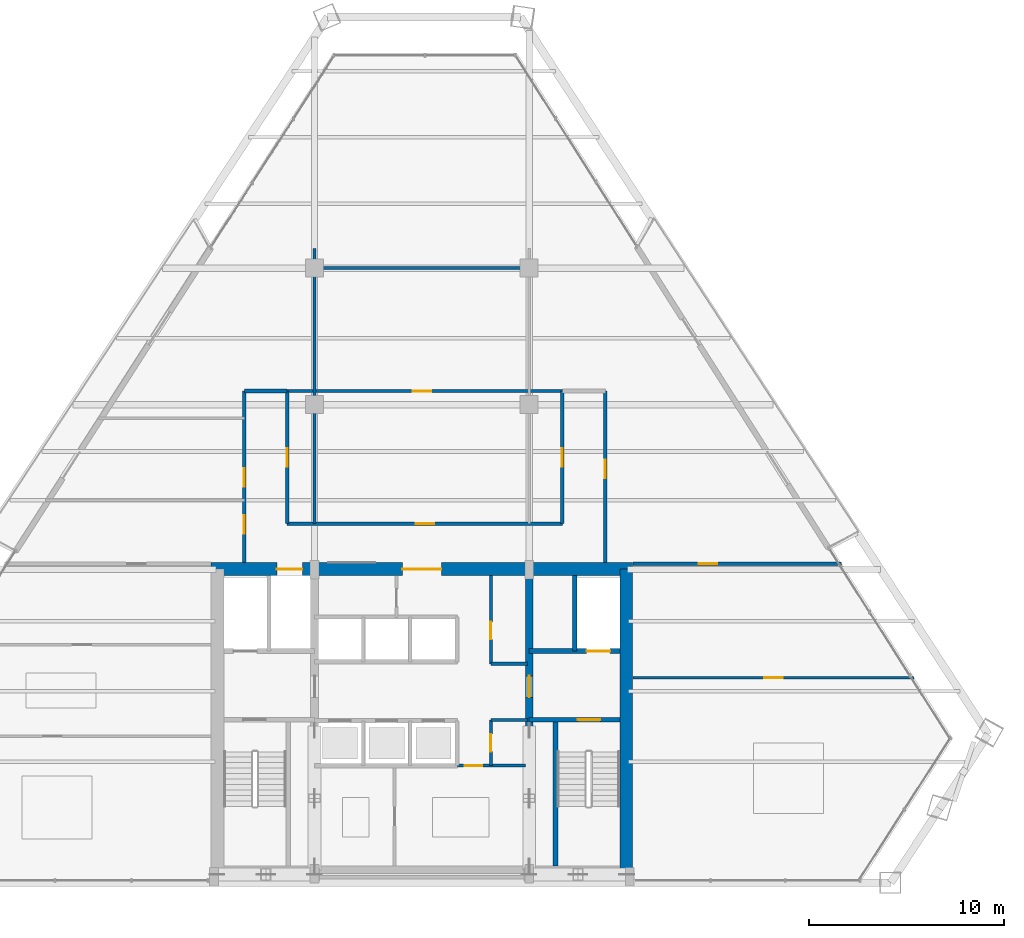
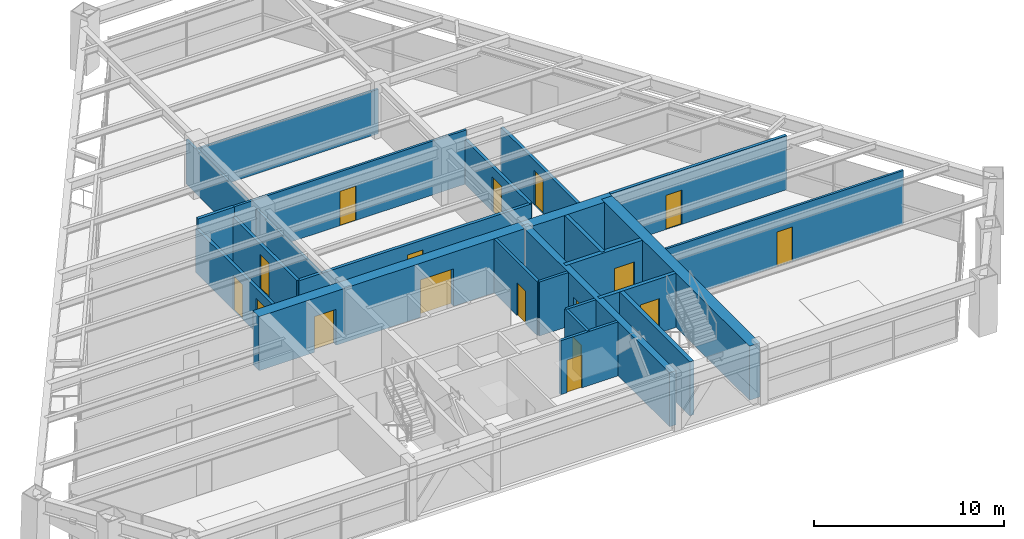
# One storey, part 12 of 16: 23 walls, 17 doors, 17 openings.
"""IFC4 building model written with IfcOpenShell, lengths in metres."""

from ifc_helpers import new_model, si_unit, direction, frame, frame_2d, origin, place, context, subcontext, project, spatial, rectangle, extrude, source, transform, mapped, material, layer, layer_set, type_object, type_shapes, element, fill, save


model = new_model("IFC4")

# Units and contexts
model_context = context("Model", 3, precision=1e-05, world=origin(), true_north=direction((0.0, 1.0)))
body_context = subcontext(model_context, "Body", "Model", "MODEL_VIEW")
ifc_project = project(units=[si_unit("LENGTHUNIT", "METRE"), si_unit("AREAUNIT", "SQUARE_METRE"), si_unit("VOLUMEUNIT", "CUBIC_METRE"), si_unit("PLANEANGLEUNIT", "RADIAN"), si_unit("MASSUNIT", "GRAM", prefix="KILO")], contexts=[model_context])

# Site, building, storey
site_placement = place(None, origin())
site = spatial("IfcSite", under=ifc_project, at=site_placement, CompositionType="ELEMENT")
building_placement = place(site_placement, origin())
building = spatial("IfcBuilding", under=site, at=building_placement, Name="Varnakhor Terracotta Tower", CompositionType="ELEMENT")
storey_placement = place(building_placement, frame((0.0, 0.0, 151.5)))
storey = spatial("IfcBuildingStorey", under=building, at=storey_placement, Name="L38", CompositionType="ELEMENT", Elevation=151.5)

# Wall, openings, doors
ifc_material_1 = material(Name="Concrete C50/60", Category="concrete")
ifc_layer_1 = layer(ifc_material_1, 0.64990234375, Name="Concrete C50/60")
ifc_layer_set_1 = layer_set([ifc_layer_1], Name="Concrete C50/60")
wall_type_1 = type_object("IfcWallType", Name="WAL-CORE-650", PredefinedType="SHEAR", material=ifc_layer_set_1)
wall_1_placement = place(storey_placement, frame((-10.800048828125, 16.074951171875, 0.0), z_axis=(0.0, 0.0, 1.0), x_axis=(1.0, 0.0, 0.0)))
wall_1 = element("IfcWall", 1, at=wall_1_placement, inside=storey, type_object=wall_type_1, Name="L38 North Core Shear Wall", PredefinedType="SHEAR", context=body_context, shape_type="SweptSolid", body=[
    extrude(rectangle(XDim=21.60009765625, YDim=0.64990234375, at=frame_2d((10.800048828125, 0.0))), origin(), (0.0, 0.0, 1.0), 3.469970703125),
])
opening_1_placement = place(wall_1_placement, frame((3.3701171875, 0.0, 0.0)))
opening_1 = element("IfcOpeningElement", 2, at=opening_1_placement, cuts=wall_1, Name="Opening LD-03", PredefinedType="OPENING", context=body_context, shape_type="SweptSolid", body=[
    extrude(rectangle(XDim=1.300048828125, YDim=2.300048828125, at=frame_2d((0.64990234375, 1.14990234375))), frame((0.0, 0.3349609375, 0.0), z_axis=(0.0, -1.0, 0.0), x_axis=(1.0, 0.0, 0.0)), (0.0, 0.0, 1.0), 0.669921875),
])
opening_2_placement = place(wall_1_placement, frame((9.800048828125, 0.0, 0.0)))
opening_2 = element("IfcOpeningElement", 3, at=opening_2_placement, cuts=wall_1, Name="Opening DR-32", PredefinedType="OPENING", context=body_context, shape_type="SweptSolid", body=[
    extrude(rectangle(XDim=2.0, YDim=2.39990234375, at=frame_2d((1.0, 1.199951171875))), frame((0.0, 0.3349609375, 0.0), z_axis=(0.0, -1.0, 0.0), x_axis=(1.0, 0.0, 0.0)), (0.0, 0.0, 1.0), 0.669921875),
])
ifc_material_2 = material(Name="Heavy-Duty Goods Sliding Lift Landing Door", Category="steel")
door_type_1 = type_object("IfcDoorType", Name="LD-SRV-1300X2300", OperationType="NOTDEFINED", PredefinedType="DOOR", material=ifc_material_2)
shared_shape_1 = source(origin(), body_context, "Body", "SweptSolid", [
    extrude(rectangle(XDim=1.300048828125, YDim=2.300048828125, at=frame_2d((0.64990234375, 1.14990234375))), frame((0.0, 0.02490234375, 0.0), z_axis=(0.0, -1.0, 0.0), x_axis=(1.0, 0.0, 0.0)), (0.0, 0.0, 1.0), 0.050048828125),
])
type_shapes(door_type_1, [shared_shape_1])
door_1_placement = place(opening_1_placement, origin())
door_1 = element("IfcDoor", 4, at=door_1_placement, inside=storey, type_object=door_type_1, Name="L38 Service Lift SVL-1 Landing Door", OperationType="SLIDING_TO_RIGHT", OverallHeight=2.300048828125, OverallWidth=1.300048828125, PredefinedType="DOOR", context=body_context, shape_type="MappedRepresentation", body=[
    mapped(shared_shape_1, transform((0.0, 0.0, 0.0), scale=1.0)),
])
fill(opening_1, door_1)
ifc_material_3 = material(Name="Acoustic Double Assembly Fire Door", Category="wood")
door_type_2 = type_object("IfcDoorType", Name="DR-HALL-2000X2400", OperationType="NOTDEFINED", PredefinedType="DOOR", material=ifc_material_3)
shared_shape_2 = source(origin(), body_context, "Body", "SweptSolid", [
    extrude(rectangle(XDim=2.0, YDim=2.39990234375, at=frame_2d((1.0, 1.199951171875))), frame((0.0, 0.02490234375, 0.0), z_axis=(0.0, -1.0, 0.0), x_axis=(1.0, 0.0, 0.0)), (0.0, 0.0, 1.0), 0.050048828125),
])
type_shapes(door_type_2, [shared_shape_2])
door_2_placement = place(opening_2_placement, origin())
door_2 = element("IfcDoor", 5, at=door_2_placement, inside=storey, type_object=door_type_2, Name="L38 Core Main Lobby Double Door", OperationType="DOUBLE_DOOR_SINGLE_SWING", OverallHeight=2.39990234375, OverallWidth=2.0, PredefinedType="DOOR", context=body_context, shape_type="MappedRepresentation", body=[
    mapped(shared_shape_2, transform((0.0, 0.0, 0.0), scale=1.0)),
])
fill(opening_2, door_2)

# Wall
wall_2_placement = place(storey_placement, frame((10.47509765625, 0.52490234375, 0.0), z_axis=(0.0, 0.0, 1.0), x_axis=(0.0, 1.0, 0.0)))
element("IfcWall", 6, at=wall_2_placement, inside=storey, type_object=wall_type_1, Name="L38 East Core Shear Wall", PredefinedType="SHEAR", context=body_context, shape_type="SweptSolid", body=[
    extrude(rectangle(XDim=15.550048828125, YDim=0.64990234375, at=frame_2d((7.77490234375, 0.0))), origin(), (0.0, 0.0, 1.0), 3.469970703125),
])

# Wall, opening, door
ifc_layer_2 = layer(ifc_material_1, 0.39990234375, Name="Concrete C50/60")
ifc_layer_set_2 = layer_set([ifc_layer_2], Name="Concrete C50/60")
wall_type_2 = type_object("IfcWallType", Name="WAL-CORE-WEB-400", PredefinedType="SHEAR", material=ifc_layer_set_2)
wall_3_placement = place(storey_placement, frame((5.5, 0.52490234375, 0.0), z_axis=(0.0, 0.0, 1.0), x_axis=(0.0, 1.0, 0.0)))
wall_3 = element("IfcWall", 7, at=wall_3_placement, inside=storey, type_object=wall_type_2, Name="L38 East Core Web Shear Wall", PredefinedType="SHEAR", context=body_context, shape_type="SweptSolid", body=[
    extrude(rectangle(XDim=15.550048828125, YDim=0.39990234375, at=frame_2d((7.77490234375, 0.0))), origin(), (0.0, 0.0, 1.0), 3.469970703125),
])
opening_3_placement = place(wall_3_placement, frame((8.97509765625, 0.0, 0.0)))
opening_3 = element("IfcOpeningElement", 8, at=opening_3_placement, cuts=wall_3, Name="Opening DR-25", PredefinedType="OPENING", context=body_context, shape_type="SweptSolid", body=[
    extrude(rectangle(XDim=1.10009765625, YDim=2.199951171875, at=frame_2d((0.550048828125, 1.10009765625))), frame((0.0, 0.2099609375, 0.0), z_axis=(0.0, -1.0, 0.0), x_axis=(1.0, 0.0, 0.0)), (0.0, 0.0, 1.0), 0.419921875),
])
ifc_material_4 = material(Name="Firefighting Lobby Self-Closing Fire Door", Category="steel")
door_type_3 = type_object("IfcDoorType", Name="DR-FFL-1100X2200", OperationType="NOTDEFINED", PredefinedType="DOOR", material=ifc_material_4)
shared_shape_3 = source(origin(), body_context, "Body", "SweptSolid", [
    extrude(rectangle(XDim=1.10009765625, YDim=2.199951171875, at=frame_2d((0.550048828125, 1.10009765625))), frame((0.0, 0.02490234375, 0.0), z_axis=(0.0, -1.0, 0.0), x_axis=(1.0, 0.0, 0.0)), (0.0, 0.0, 1.0), 0.050048828125),
])
type_shapes(door_type_3, [shared_shape_3])
door_3_placement = place(opening_3_placement, origin())
door_3 = element("IfcDoor", 9, at=door_3_placement, inside=storey, type_object=door_type_3, Name="L38 East Firefighting Lobby Door", OperationType="SINGLE_SWING_RIGHT", OverallHeight=2.199951171875, OverallWidth=1.10009765625, PredefinedType="DOOR", context=body_context, shape_type="MappedRepresentation", body=[
    mapped(shared_shape_3, transform((0.0, 0.0, 0.0), scale=1.0)),
])
fill(opening_3, door_3)

ifc_material_5 = material(Name="Fire-Rated Gypsum Stud Partition", Category="gypsum")
ifc_layer_3 = layer(ifc_material_5, 0.18505859375, Name="Fire-Rated Gypsum Stud Partition")
ifc_layer_set_3 = layer_set([ifc_layer_3], Name="Fire-Rated Gypsum Stud Partition")
wall_type_3 = type_object("IfcWallType", Name="WAL-CORR-185", PredefinedType="PARTITIONING", material=ifc_layer_set_3)
wall_4_placement = place(storey_placement, frame((-6.89990234375, 18.39990234375, 0.0), z_axis=(0.0, 0.0, 1.0), x_axis=(1.0, 0.0, 0.0)))
wall_4 = element("IfcWall", 10, at=wall_4_placement, inside=storey, type_object=wall_type_3, Name="L38 Central Gallery Link Wall", PredefinedType="PARTITIONING", context=body_context, shape_type="SweptSolid", body=[
    extrude(rectangle(XDim=14.099853515625, YDim=0.18505859375, at=frame_2d((7.0498046875, 0.0))), origin(), (0.0, 0.0, 1.0), 2.845947265625),
])
opening_4_placement = place(wall_4_placement, frame((6.574951171875, 0.0, 0.0)))
opening_4 = element("IfcOpeningElement", 11, at=opening_4_placement, cuts=wall_4, Name="Opening DR-94", PredefinedType="OPENING", context=body_context, shape_type="SweptSolid", body=[
    extrude(rectangle(XDim=0.949951171875, YDim=2.199951171875, at=frame_2d((0.47509765625, 1.10009765625))), frame((0.0, 0.1025390625, 0.0), z_axis=(0.0, -1.0, 0.0), x_axis=(1.0, 0.0, 0.0)), (0.0, 0.0, 1.0), 0.205078125),
])
ifc_material_6 = material(Name="Acoustic Glazed-Vision Timber Office Door", Category="wood")
door_type_4 = type_object("IfcDoorType", Name="DR-OFF-950X2200", OperationType="NOTDEFINED", PredefinedType="DOOR", material=ifc_material_6)
shared_shape_4 = source(origin(), body_context, "Body", "SweptSolid", [
    extrude(rectangle(XDim=0.949951171875, YDim=2.199951171875, at=frame_2d((0.47509765625, 1.10009765625))), frame((0.0, 0.02490234375, 0.0), z_axis=(0.0, -1.0, 0.0), x_axis=(1.0, 0.0, 0.0)), (0.0, 0.0, 1.0), 0.050048828125),
])
type_shapes(door_type_4, [shared_shape_4])
door_4_placement = place(opening_4_placement, origin())
door_4 = element("IfcDoor", 12, at=door_4_placement, inside=storey, type_object=door_type_4, Name="L38 Center Suite Door", OperationType="SINGLE_SWING_RIGHT", OverallHeight=2.199951171875, OverallWidth=0.949951171875, PredefinedType="DOOR", context=body_context, shape_type="MappedRepresentation", body=[
    mapped(shared_shape_4, transform((0.0, 0.0, 0.0), scale=1.0)),
])
fill(opening_4, door_4)

wall_5_placement = place(storey_placement, frame((-6.89990234375, 18.39990234375, 0.0), z_axis=(0.0, 0.0, 1.0), x_axis=(0.0, 1.0, 0.0)))
wall_5 = element("IfcWall", 13, at=wall_5_placement, inside=storey, type_object=wall_type_3, Name="L38 West Gallery Inner Wall", PredefinedType="PARTITIONING", context=body_context, shape_type="SweptSolid", body=[
    extrude(rectangle(XDim=6.800048828125, YDim=0.18505859375, at=frame_2d((3.39990234375, 0.0))), origin(), (0.0, 0.0, 1.0), 2.845947265625),
])
opening_5_placement = place(wall_5_placement, frame((2.925048828125, 0.0, 0.0)))
opening_5 = element("IfcOpeningElement", 14, at=opening_5_placement, cuts=wall_5, Name="Opening DR-94", PredefinedType="OPENING", context=body_context, shape_type="SweptSolid", body=[
    extrude(rectangle(XDim=0.949951171875, YDim=2.199951171875, at=frame_2d((0.47509765625, 1.10009765625))), frame((0.0, 0.1025390625, 0.0), z_axis=(0.0, -1.0, 0.0), x_axis=(1.0, 0.0, 0.0)), (0.0, 0.0, 1.0), 0.205078125),
])
door_5_placement = place(opening_5_placement, origin())
door_5 = element("IfcDoor", 15, at=door_5_placement, inside=storey, type_object=door_type_4, Name="L38 Wellness Lounge 4 B9 Door", OperationType="SINGLE_SWING_LEFT", OverallHeight=2.199951171875, OverallWidth=0.949951171875, PredefinedType="DOOR", context=body_context, shape_type="MappedRepresentation", body=[
    mapped(shared_shape_4, transform((0.0, 0.0, 0.0), scale=1.0)),
])
fill(opening_5, door_5)

wall_6_placement = place(storey_placement, frame((7.199951171875, 18.39990234375, 0.0), z_axis=(0.0, 0.0, 1.0), x_axis=(0.0, 1.0, 0.0)))
wall_6 = element("IfcWall", 16, at=wall_6_placement, inside=storey, type_object=wall_type_3, Name="L38 East Gallery Inner Wall", PredefinedType="PARTITIONING", context=body_context, shape_type="SweptSolid", body=[
    extrude(rectangle(XDim=6.800048828125, YDim=0.18505859375, at=frame_2d((3.39990234375, 0.0))), origin(), (0.0, 0.0, 1.0), 2.845947265625),
])
opening_6_placement = place(wall_6_placement, frame((2.925048828125, 0.0, 0.0)))
opening_6 = element("IfcOpeningElement", 17, at=opening_6_placement, cuts=wall_6, Name="Opening DR-94", PredefinedType="OPENING", context=body_context, shape_type="SweptSolid", body=[
    extrude(rectangle(XDim=0.949951171875, YDim=2.199951171875, at=frame_2d((0.47509765625, 1.10009765625))), frame((0.0, 0.1025390625, 0.0), z_axis=(0.0, -1.0, 0.0), x_axis=(1.0, 0.0, 0.0)), (0.0, 0.0, 1.0), 0.205078125),
])
door_6_placement = place(opening_6_placement, origin())
door_6 = element("IfcDoor", 18, at=door_6_placement, inside=storey, type_object=door_type_4, Name="L38 Staff Dining Kitchen 1 B10 Door", OperationType="SINGLE_SWING_RIGHT", OverallHeight=2.199951171875, OverallWidth=0.949951171875, PredefinedType="DOOR", context=body_context, shape_type="MappedRepresentation", body=[
    mapped(shared_shape_4, transform((0.0, 0.0, 0.0), scale=1.0)),
])
fill(opening_6, door_6)

# Wall, openings, doors
wall_7_placement = place(storey_placement, frame((-9.10009765625, 16.39990234375, 0.0), z_axis=(0.0, 0.0, 1.0), x_axis=(0.0, 1.0, 0.0)))
wall_7 = element("IfcWall", 19, at=wall_7_placement, inside=storey, type_object=wall_type_3, Name="L38 West Gallery Outer Wall", PredefinedType="PARTITIONING", context=body_context, shape_type="SweptSolid", body=[
    extrude(rectangle(XDim=8.800048828125, YDim=0.18505859375, at=frame_2d((4.39990234375, 0.0))), origin(), (0.0, 0.0, 1.0), 2.845947265625),
])
opening_7_placement = place(wall_7_placement, frame((3.902587890625, 0.0, 0.0)))
opening_7 = element("IfcOpeningElement", 20, at=opening_7_placement, cuts=wall_7, Name="Opening DR-94", PredefinedType="OPENING", context=body_context, shape_type="SweptSolid", body=[
    extrude(rectangle(XDim=0.949951171875, YDim=2.199951171875, at=frame_2d((0.47509765625, 1.10009765625))), frame((0.0, 0.1025390625, 0.0), z_axis=(0.0, -1.0, 0.0), x_axis=(1.0, 0.0, 0.0)), (0.0, 0.0, 1.0), 0.205078125),
])
opening_8_placement = place(wall_7_placement, frame((1.4873046875, 0.0, 0.0)))
opening_8 = element("IfcOpeningElement", 21, at=opening_8_placement, cuts=wall_7, Name="Opening DR-94", PredefinedType="OPENING", context=body_context, shape_type="SweptSolid", body=[
    extrude(rectangle(XDim=0.949951171875, YDim=2.199951171875, at=frame_2d((0.47509765625, 1.10009765625))), frame((0.0, 0.1025390625, 0.0), z_axis=(0.0, -1.0, 0.0), x_axis=(1.0, 0.0, 0.0)), (0.0, 0.0, 1.0), 0.205078125),
])
door_7_placement = place(opening_7_placement, origin())
door_7 = element("IfcDoor", 22, at=door_7_placement, inside=storey, type_object=door_type_4, Name="L38 West Wing Door", OperationType="SINGLE_SWING_LEFT", OverallHeight=2.199951171875, OverallWidth=0.949951171875, PredefinedType="DOOR", context=body_context, shape_type="MappedRepresentation", body=[
    mapped(shared_shape_4, transform((0.0, 0.0, 0.0), scale=1.0)),
])
fill(opening_7, door_7)
door_8_placement = place(opening_8_placement, origin())
door_8 = element("IfcDoor", 23, at=door_8_placement, inside=storey, type_object=door_type_4, Name="L38 Staff Dining Kitchen 1 Door", OperationType="SINGLE_SWING_RIGHT", OverallHeight=2.199951171875, OverallWidth=0.949951171875, PredefinedType="DOOR", context=body_context, shape_type="MappedRepresentation", body=[
    mapped(shared_shape_4, transform((0.0, 0.0, 0.0), scale=1.0)),
])
fill(opening_8, door_8)

# Wall, opening, door
wall_8_placement = place(storey_placement, frame((9.39990234375, 16.39990234375, 0.0), z_axis=(0.0, 0.0, 1.0), x_axis=(0.0, 1.0, 0.0)))
wall_8 = element("IfcWall", 24, at=wall_8_placement, inside=storey, type_object=wall_type_3, Name="L38 East Gallery Outer Wall", PredefinedType="PARTITIONING", context=body_context, shape_type="SweptSolid", body=[
    extrude(rectangle(XDim=8.800048828125, YDim=0.18505859375, at=frame_2d((4.39990234375, 0.0))), origin(), (0.0, 0.0, 1.0), 2.845947265625),
])
opening_9_placement = place(wall_8_placement, frame((4.3310546875, 0.0, 0.0)))
opening_9 = element("IfcOpeningElement", 25, at=opening_9_placement, cuts=wall_8, Name="Opening DR-94", PredefinedType="OPENING", context=body_context, shape_type="SweptSolid", body=[
    extrude(rectangle(XDim=0.949951171875, YDim=2.199951171875, at=frame_2d((0.47509765625, 1.10009765625))), frame((0.0, 0.1025390625, 0.0), z_axis=(0.0, -1.0, 0.0), x_axis=(1.0, 0.0, 0.0)), (0.0, 0.0, 1.0), 0.205078125),
])
door_9_placement = place(opening_9_placement, origin())
door_9 = element("IfcDoor", 26, at=door_9_placement, inside=storey, type_object=door_type_4, Name="L38 East Wing Door", OperationType="SINGLE_SWING_RIGHT", OverallHeight=2.199951171875, OverallWidth=0.949951171875, PredefinedType="DOOR", context=body_context, shape_type="MappedRepresentation", body=[
    mapped(shared_shape_4, transform((0.0, 0.0, 0.0), scale=1.0)),
])
fill(opening_9, door_9)

# Wall
wall_9_placement = place(storey_placement, frame((-9.10009765625, 25.199951171875, 0.0), z_axis=(0.0, 0.0, 1.0), x_axis=(1.0, 0.0, 0.0)))
element("IfcWall", 27, at=wall_9_placement, inside=storey, type_object=wall_type_3, Name="L38 West Gallery North End", PredefinedType="PARTITIONING", context=body_context, shape_type="SweptSolid", body=[
    extrude(rectangle(XDim=2.2001953125, YDim=0.18505859375, at=frame_2d((1.10009765625, 0.0))), origin(), (0.0, 0.0, 1.0), 3.4619140625),
])

# Wall, opening, door
wall_10_placement = place(storey_placement, frame((10.820068359375, 16.35009765625, 0.0), z_axis=(0.0, 0.0, 1.0), x_axis=(1.0, 0.0, 0.0)))
wall_10 = element("IfcWall", 28, at=wall_10_placement, inside=storey, type_object=wall_type_3, Name="L38 South East Entry Wall", PredefinedType="PARTITIONING", context=body_context, shape_type="SweptSolid", body=[
    extrude(rectangle(XDim=10.68115234375, YDim=0.18505859375, at=frame_2d((5.340576171875, 0.0))), origin(), (0.0, 0.0, 1.0), 3.4619140625),
])
opening_10_placement = place(wall_10_placement, frame((3.365478515625, 0.0, 0.0)))
opening_10 = element("IfcOpeningElement", 29, at=opening_10_placement, cuts=wall_10, Name="Opening DR-94", PredefinedType="OPENING", context=body_context, shape_type="SweptSolid", body=[
    extrude(rectangle(XDim=0.949951171875, YDim=2.199951171875, at=frame_2d((0.47509765625, 1.10009765625))), frame((0.0, 0.1025390625, 0.0), z_axis=(0.0, -1.0, 0.0), x_axis=(1.0, 0.0, 0.0)), (0.0, 0.0, 1.0), 0.205078125),
])
door_10_placement = place(opening_10_placement, origin())
door_10 = element("IfcDoor", 30, at=door_10_placement, inside=storey, type_object=door_type_4, Name="L38 SE Suite Door", OperationType="SINGLE_SWING_RIGHT", OverallHeight=2.199951171875, OverallWidth=0.949951171875, PredefinedType="DOOR", context=body_context, shape_type="MappedRepresentation", body=[
    mapped(shared_shape_4, transform((0.0, 0.0, 0.0), scale=1.0)),
])
fill(opening_10, door_10)

ifc_material_7 = material(Name="Concrete C40/50", Category="concrete")
ifc_layer_4 = layer(ifc_material_7, 0.219970703125, Name="Concrete C40/50")
ifc_layer_set_4 = layer_set([ifc_layer_4], Name="Concrete C40/50")
wall_type_4 = type_object("IfcWallType", Name="WAL-FFLOBBY-220", PredefinedType="SOLIDWALL", material=ifc_layer_set_4)
wall_11_placement = place(storey_placement, frame((10.14990234375, 8.35009765625, 0.0), z_axis=(0.0, 0.0, 1.0), x_axis=(-1.0, 0.0, 0.0)))
wall_11 = element("IfcWall", 31, at=wall_11_placement, inside=storey, type_object=wall_type_4, Name="L38 East Firefighting Lobby Stair Wall", PredefinedType="SOLIDWALL", context=body_context, shape_type="SweptSolid", body=[
    extrude(rectangle(XDim=4.64990234375, YDim=0.219970703125, at=frame_2d((2.324951171875, 0.0))), origin(), (0.0, 0.0, 1.0), 3.469970703125),
])
opening_11_placement = place(wall_11_placement, frame((1.0, 0.0, 0.0)))
opening_11 = element("IfcOpeningElement", 32, at=opening_11_placement, cuts=wall_11, Name="Opening DR-34", PredefinedType="OPENING", context=body_context, shape_type="SweptSolid", body=[
    extrude(rectangle(XDim=1.14990234375, YDim=2.199951171875, at=frame_2d((0.574951171875, 1.10009765625))), frame((0.0, 0.1201171875, 0.0), z_axis=(0.0, -1.0, 0.0), x_axis=(1.0, 0.0, 0.0)), (0.0, 0.0, 1.0), 0.239990234375),
])
ifc_material_8 = material(Name="Self-Closing Smoke-Sealed Steel Fire Door", Category="steel")
door_type_5 = type_object("IfcDoorType", Name="DR-STAIR-1150X2200", OperationType="NOTDEFINED", PredefinedType="DOOR", material=ifc_material_8)
shared_shape_5 = source(origin(), body_context, "Body", "SweptSolid", [
    extrude(rectangle(XDim=1.14990234375, YDim=2.199951171875, at=frame_2d((0.574951171875, 1.10009765625))), frame((0.0, 0.02490234375, 0.0), z_axis=(0.0, -1.0, 0.0), x_axis=(1.0, 0.0, 0.0)), (0.0, 0.0, 1.0), 0.050048828125),
])
type_shapes(door_type_5, [shared_shape_5])
door_11_placement = place(opening_11_placement, origin())
door_11 = element("IfcDoor", 33, at=door_11_placement, inside=storey, type_object=door_type_5, Name="L38 Exit Stair ST-2 Fire Door", OperationType="SINGLE_SWING_LEFT", OverallHeight=2.199951171875, OverallWidth=1.14990234375, PredefinedType="DOOR", context=body_context, shape_type="MappedRepresentation", body=[
    mapped(shared_shape_5, transform((0.0, 0.0, 0.0), scale=1.0)),
])
fill(opening_11, door_11)

ifc_material_9 = material(Name="Acoustic Metal-Stud Partition", Category="gypsum")
ifc_layer_5 = layer(ifc_material_9, 0.139892578125, Name="Acoustic Metal-Stud Partition")
ifc_layer_set_5 = layer_set([ifc_layer_5], Name="Acoustic Metal-Stud Partition")
wall_type_5 = type_object("IfcWallType", Name="WAL-PART-140", PredefinedType="PARTITIONING", material=ifc_layer_set_5)
wall_12_placement = place(storey_placement, frame((-6.89990234375, 25.199951171875, 0.0), z_axis=(0.0, 0.0, 1.0), x_axis=(1.0, 0.0, 0.0)))
wall_12 = element("IfcWall", 34, at=wall_12_placement, inside=storey, type_object=wall_type_5, Name="L38 Gallery Center Cap Wall", PredefinedType="PARTITIONING", context=body_context, shape_type="SweptSolid", body=[
    extrude(rectangle(XDim=14.099853515625, YDim=0.139892578125, at=frame_2d((7.0498046875, 0.0))), origin(), (0.0, 0.0, 1.0), 3.4619140625),
])
opening_12_placement = place(wall_12_placement, frame((6.43212890625, 0.0, 0.0)))
opening_12 = element("IfcOpeningElement", 35, at=opening_12_placement, cuts=wall_12, Name="Opening DR-94", PredefinedType="OPENING", context=body_context, shape_type="SweptSolid", body=[
    extrude(rectangle(XDim=0.949951171875, YDim=2.199951171875, at=frame_2d((0.47509765625, 1.10009765625))), frame((0.0, 0.080078125, 0.0), z_axis=(0.0, -1.0, 0.0), x_axis=(1.0, 0.0, 0.0)), (0.0, 0.0, 1.0), 0.159912109375),
])
door_12_placement = place(opening_12_placement, origin())
door_12 = element("IfcDoor", 36, at=door_12_placement, inside=storey, type_object=door_type_4, Name="L38 Reading Lounge 3 Door", OperationType="SINGLE_SWING_LEFT", OverallHeight=2.199951171875, OverallWidth=0.949951171875, PredefinedType="DOOR", context=body_context, shape_type="MappedRepresentation", body=[
    mapped(shared_shape_4, transform((0.0, 0.0, 0.0), scale=1.0)),
])
fill(opening_12, door_12)

# Walls
wall_13_placement = place(storey_placement, frame((-5.5, 18.39990234375, 0.0), z_axis=(0.0, 0.0, 1.0), x_axis=(0.0, 1.0, 0.0)))
element("IfcWall", 37, at=wall_13_placement, inside=storey, type_object=wall_type_5, Name="L38 Center West Column Wall", PredefinedType="PARTITIONING", context=body_context, shape_type="SweptSolid", body=[
    extrude(rectangle(XDim=14.10009765625, YDim=0.139892578125, at=frame_2d((7.050048828125, 0.0))), origin(), (0.0, 0.0, 1.0), 2.845947265625),
])
wall_14_placement = place(storey_placement, frame((-5.5, 31.5, 0.0), z_axis=(0.0, 0.0, 1.0), x_axis=(1.0, 0.0, 0.0)))
element("IfcWall", 38, at=wall_14_placement, inside=storey, type_object=wall_type_5, Name="L38 Center Cross Cut 1", PredefinedType="PARTITIONING", context=body_context, shape_type="SweptSolid", body=[
    extrude(rectangle(XDim=11.0, YDim=0.139892578125, at=frame_2d((5.5, 0.0))), origin(), (0.0, 0.0, 1.0), 2.845947265625),
])

# Wall, opening, door
wall_15_placement = place(storey_placement, frame((10.820068359375, 10.5, 0.0), z_axis=(0.0, 0.0, 1.0), x_axis=(1.0, 0.0, 0.0)))
wall_15 = element("IfcWall", 39, at=wall_15_placement, inside=storey, type_object=wall_type_5, Name="L38 East Wing Cut 1", PredefinedType="PARTITIONING", context=body_context, shape_type="SweptSolid", body=[
    extrude(rectangle(XDim=14.40283203125, YDim=0.139892578125, at=frame_2d((7.201416015625, 0.0))), origin(), (0.0, 0.0, 1.0), 3.4619140625),
])
opening_13_placement = place(wall_15_placement, frame((6.718505859375, 0.0, 0.0)))
opening_13 = element("IfcOpeningElement", 40, at=opening_13_placement, cuts=wall_15, Name="Opening DR-94", PredefinedType="OPENING", context=body_context, shape_type="SweptSolid", body=[
    extrude(rectangle(XDim=0.949951171875, YDim=2.199951171875, at=frame_2d((0.47509765625, 1.10009765625))), frame((0.0, 0.080078125, 0.0), z_axis=(0.0, -1.0, 0.0), x_axis=(1.0, 0.0, 0.0)), (0.0, 0.0, 1.0), 0.159912109375),
])
door_13_placement = place(opening_13_placement, origin())
door_13 = element("IfcDoor", 41, at=door_13_placement, inside=storey, type_object=door_type_4, Name="L38 Staff Dining Kitchen 1 SE Door", OperationType="SINGLE_SWING_LEFT", OverallHeight=2.199951171875, OverallWidth=0.949951171875, PredefinedType="DOOR", context=body_context, shape_type="MappedRepresentation", body=[
    mapped(shared_shape_4, transform((0.0, 0.0, 0.0), scale=1.0)),
])
fill(opening_13, door_13)

# Walls
ifc_layer_6 = layer(ifc_material_7, 0.219970703125, Name="Concrete C40/50")
ifc_layer_set_6 = layer_set([ifc_layer_6], Name="Concrete C40/50")
wall_type_6 = type_object("IfcWallType", Name="WAL-SHAFT-220", PredefinedType="SOLIDWALL", material=ifc_layer_set_6)
wall_16_placement = place(storey_placement, frame((7.840087890625, 11.8701171875, 0.0), z_axis=(0.0, 0.0, 1.0), x_axis=(0.0, 1.0, 0.0)))
element("IfcWall", 42, at=wall_16_placement, inside=storey, type_object=wall_type_6, Name="L38 Lift FFL-2 and Riser Divider Wall", PredefinedType="SOLIDWALL", context=body_context, shape_type="SweptSolid", body=[
    extrude(rectangle(XDim=3.8798828125, YDim=0.219970703125, at=frame_2d((1.93994140625, 0.0))), origin(), (0.0, 0.0, 1.0), 3.469970703125),
])
ifc_layer_7 = layer(ifc_material_7, 0.25, Name="Concrete C40/50")
ifc_layer_set_7 = layer_set([ifc_layer_7], Name="Concrete C40/50")
wall_type_7 = type_object("IfcWallType", Name="WAL-SHAFT-250", PredefinedType="SOLIDWALL", material=ifc_layer_set_7)
wall_17_placement = place(storey_placement, frame((6.85009765625, 0.85009765625, 0.0), z_axis=(0.0, 0.0, 1.0), x_axis=(0.0, 1.0, 0.0)))
element("IfcWall", 43, at=wall_17_placement, inside=storey, type_object=wall_type_7, Name="L38 Stair ST-2 Bearing Shaft Wall", PredefinedType="SOLIDWALL", context=body_context, shape_type="SweptSolid", body=[
    extrude(rectangle(XDim=7.5, YDim=0.25, at=frame_2d((3.75, 0.0))), origin(), (0.0, 0.0, 1.0), 3.469970703125),
])

# Wall, opening, door
wall_18_placement = place(storey_placement, frame((10.14990234375, 11.8701171875, 0.0), z_axis=(0.0, 0.0, 1.0), x_axis=(-1.0, 0.0, 0.0)))
wall_18 = element("IfcWall", 44, at=wall_18_placement, inside=storey, type_object=wall_type_7, Name="L38 Lift FFL-2 Shaft Front Wall", PredefinedType="SOLIDWALL", context=body_context, shape_type="SweptSolid", body=[
    extrude(rectangle(XDim=4.64990234375, YDim=0.25, at=frame_2d((2.324951171875, 0.0))), origin(), (0.0, 0.0, 1.0), 3.469970703125),
])
opening_14_placement = place(wall_18_placement, frame((0.5, 0.0, 0.0)))
opening_14 = element("IfcOpeningElement", 45, at=opening_14_placement, cuts=wall_18, Name="Opening LD-02", PredefinedType="OPENING", context=body_context, shape_type="SweptSolid", body=[
    extrude(rectangle(XDim=1.199951171875, YDim=2.25, at=frame_2d((0.60009765625, 1.125))), frame((0.0, 0.135009765625, 0.0), z_axis=(0.0, -1.0, 0.0), x_axis=(1.0, 0.0, 0.0)), (0.0, 0.0, 1.0), 0.27001953125),
])
ifc_material_10 = material(Name="Firefighting Stretcher Sliding Lift Landing Door", Category="steel")
door_type_6 = type_object("IfcDoorType", Name="LD-FFL-1200X2250", OperationType="NOTDEFINED", PredefinedType="DOOR", material=ifc_material_10)
shared_shape_6 = source(origin(), body_context, "Body", "SweptSolid", [
    extrude(rectangle(XDim=1.199951171875, YDim=2.25, at=frame_2d((0.60009765625, 1.125))), frame((0.0, 0.02490234375, 0.0), z_axis=(0.0, -1.0, 0.0), x_axis=(1.0, 0.0, 0.0)), (0.0, 0.0, 1.0), 0.050048828125),
])
type_shapes(door_type_6, [shared_shape_6])
door_14_placement = place(opening_14_placement, origin())
door_14 = element("IfcDoor", 46, at=door_14_placement, inside=storey, type_object=door_type_6, Name="L38 Firefighting Lift FFL-2 Landing Door", OperationType="SLIDING_TO_RIGHT", OverallHeight=2.25, OverallWidth=1.199951171875, PredefinedType="DOOR", context=body_context, shape_type="MappedRepresentation", body=[
    mapped(shared_shape_6, transform((0.0, 0.0, 0.0), scale=1.0)),
])
fill(opening_14, door_14)

ifc_material_11 = material(Name="Acoustic Fire-Rated Partition", Category="gypsum")
ifc_layer_8 = layer(ifc_material_11, 0.1650390625, Name="Acoustic Fire-Rated Partition")
ifc_layer_set_8 = layer_set([ifc_layer_8], Name="Acoustic Fire-Rated Partition")
wall_type_8 = type_object("IfcWallType", Name="WAL-TENANCY-165", PredefinedType="PARTITIONING", material=ifc_layer_set_8)
wall_19_placement = place(storey_placement, frame((1.820068359375, 6.0, 0.0), z_axis=(0.0, 0.0, 1.0), x_axis=(1.0, 0.0, 0.0)))
wall_19 = element("IfcWall", 47, at=wall_19_placement, inside=storey, type_object=wall_type_8, Name="L38 Reclaimed Core Bay North Rated Wall", PredefinedType="PARTITIONING", context=body_context, shape_type="SweptSolid", body=[
    extrude(rectangle(XDim=3.47998046875, YDim=0.1650390625, at=frame_2d((1.739990234375, 0.0))), origin(), (0.0, 0.0, 1.0), 3.4619140625),
])
opening_15_placement = place(wall_19_placement, frame((0.3798828125, 0.0, 0.0)))
opening_15 = element("IfcOpeningElement", 48, at=opening_15_placement, cuts=wall_19, Name="Opening DR-67", PredefinedType="OPENING", context=body_context, shape_type="SweptSolid", body=[
    extrude(rectangle(XDim=0.89990234375, YDim=2.10009765625, at=frame_2d((0.449951171875, 1.050048828125))), frame((0.0, 0.092529296875, 0.0), z_axis=(0.0, -1.0, 0.0), x_axis=(1.0, 0.0, 0.0)), (0.0, 0.0, 1.0), 0.18505859375),
])
ifc_material_12 = material(Name="Steel Service Riser Fire Door", Category="steel")
door_type_7 = type_object("IfcDoorType", Name="DR-RISER-900X2100", OperationType="NOTDEFINED", PredefinedType="DOOR", material=ifc_material_12)
shared_shape_7 = source(origin(), body_context, "Body", "SweptSolid", [
    extrude(rectangle(XDim=0.89990234375, YDim=2.10009765625, at=frame_2d((0.449951171875, 1.050048828125))), frame((0.0, 0.02490234375, 0.0), z_axis=(0.0, -1.0, 0.0), x_axis=(1.0, 0.0, 0.0)), (0.0, 0.0, 1.0), 0.050048828125),
])
type_shapes(door_type_7, [shared_shape_7])
door_15_placement = place(opening_15_placement, origin())
door_15 = element("IfcDoor", 49, at=door_15_placement, inside=storey, type_object=door_type_7, Name="L38 Core Reclaimed Suite Door", OperationType="SINGLE_SWING_LEFT", OverallHeight=2.10009765625, OverallWidth=0.89990234375, PredefinedType="DOOR", context=body_context, shape_type="MappedRepresentation", body=[
    mapped(shared_shape_7, transform((0.0, 0.0, 0.0), scale=1.0)),
])
fill(opening_15, door_15)

wall_20_placement = place(storey_placement, frame((3.5400390625, 6.0, 0.0), z_axis=(0.0, 0.0, 1.0), x_axis=(0.0, 1.0, 0.0)))
wall_20 = element("IfcWall", 50, at=wall_20_placement, inside=storey, type_object=wall_type_8, Name="L38 Accessible WC Rated Wall", PredefinedType="PARTITIONING", context=body_context, shape_type="SweptSolid", body=[
    extrude(rectangle(XDim=2.340087890625, YDim=0.1650390625, at=frame_2d((1.169921875, 0.0))), origin(), (0.0, 0.0, 1.0), 3.4619140625),
])
opening_16_placement = place(wall_20_placement, frame((0.719970703125, 0.0, 0.0)))
opening_16 = element("IfcOpeningElement", 51, at=opening_16_placement, cuts=wall_20, Name="Opening DR-67", PredefinedType="OPENING", context=body_context, shape_type="SweptSolid", body=[
    extrude(rectangle(XDim=0.89990234375, YDim=2.10009765625, at=frame_2d((0.449951171875, 1.050048828125))), frame((0.0, 0.092529296875, 0.0), z_axis=(0.0, -1.0, 0.0), x_axis=(1.0, 0.0, 0.0)), (0.0, 0.0, 1.0), 0.18505859375),
])
door_16_placement = place(opening_16_placement, origin())
door_16 = element("IfcDoor", 52, at=door_16_placement, inside=storey, type_object=door_type_7, Name="L38 Accessible WC Door", OperationType="SINGLE_SWING_LEFT", OverallHeight=2.10009765625, OverallWidth=0.89990234375, PredefinedType="DOOR", context=body_context, shape_type="MappedRepresentation", body=[
    mapped(shared_shape_7, transform((0.0, 0.0, 0.0), scale=1.0)),
])
fill(opening_16, door_16)

# Wall
wall_21_placement = place(storey_placement, frame((3.5400390625, 8.340087890625, 0.0), z_axis=(0.0, 0.0, 1.0), x_axis=(1.0, 0.0, 0.0)))
element("IfcWall", 53, at=wall_21_placement, inside=storey, type_object=wall_type_8, Name="L38 Accessible WC North Wall", PredefinedType="PARTITIONING", context=body_context, shape_type="SweptSolid", body=[
    extrude(rectangle(XDim=1.8798828125, YDim=0.1650390625, at=frame_2d((0.93994140625, 0.0))), origin(), (0.0, 0.0, 1.0), 3.4619140625),
])

# Wall, opening, door
wall_22_placement = place(storey_placement, frame((3.5400390625, 11.219970703125, 0.0), z_axis=(0.0, 0.0, 1.0), x_axis=(0.0, 1.0, 0.0)))
wall_22 = element("IfcWall", 54, at=wall_22_placement, inside=storey, type_object=wall_type_8, Name="L38 Restroom Corridor Wall", PredefinedType="PARTITIONING", context=body_context, shape_type="SweptSolid", body=[
    extrude(rectangle(XDim=4.530029296875, YDim=0.1650390625, at=frame_2d((2.26513671875, 0.0))), origin(), (0.0, 0.0, 1.0), 3.4619140625),
])
opening_17_placement = place(wall_22_placement, frame((1.25, 0.0, 0.0)))
opening_17 = element("IfcOpeningElement", 55, at=opening_17_placement, cuts=wall_22, Name="Opening DR-67", PredefinedType="OPENING", context=body_context, shape_type="SweptSolid", body=[
    extrude(rectangle(XDim=0.89990234375, YDim=2.10009765625, at=frame_2d((0.449951171875, 1.050048828125))), frame((0.0, 0.092529296875, 0.0), z_axis=(0.0, -1.0, 0.0), x_axis=(1.0, 0.0, 0.0)), (0.0, 0.0, 1.0), 0.18505859375),
])
door_17_placement = place(opening_17_placement, origin())
door_17 = element("IfcDoor", 56, at=door_17_placement, inside=storey, type_object=door_type_7, Name="L38 Female WC Door", OperationType="SINGLE_SWING_LEFT", OverallHeight=2.10009765625, OverallWidth=0.89990234375, PredefinedType="DOOR", context=body_context, shape_type="MappedRepresentation", body=[
    mapped(shared_shape_7, transform((0.0, 0.0, 0.0), scale=1.0)),
])
fill(opening_17, door_17)

# Wall
wall_23_placement = place(storey_placement, frame((3.5400390625, 11.219970703125, 0.0), z_axis=(0.0, 0.0, 1.0), x_axis=(1.0, 0.0, 0.0)))
element("IfcWall", 57, at=wall_23_placement, inside=storey, type_object=wall_type_8, Name="L38 Restroom South Wall", PredefinedType="PARTITIONING", context=body_context, shape_type="SweptSolid", body=[
    extrude(rectangle(XDim=1.8798828125, YDim=0.1650390625, at=frame_2d((0.93994140625, 0.0))), origin(), (0.0, 0.0, 1.0), 3.4619140625),
])

save(model, "model.ifc")
